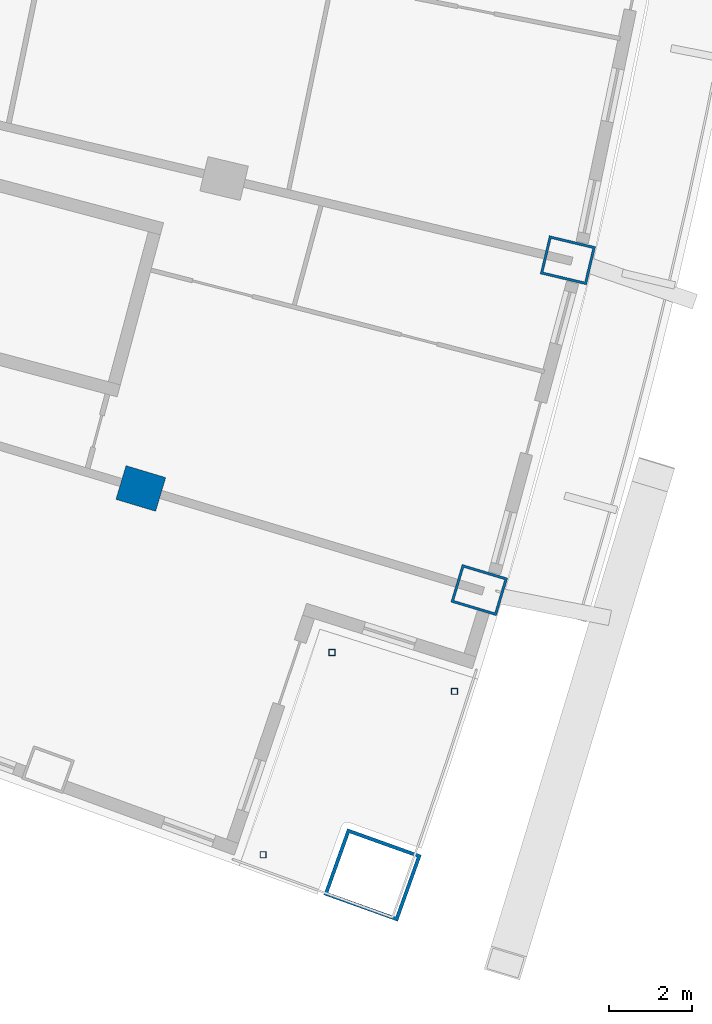
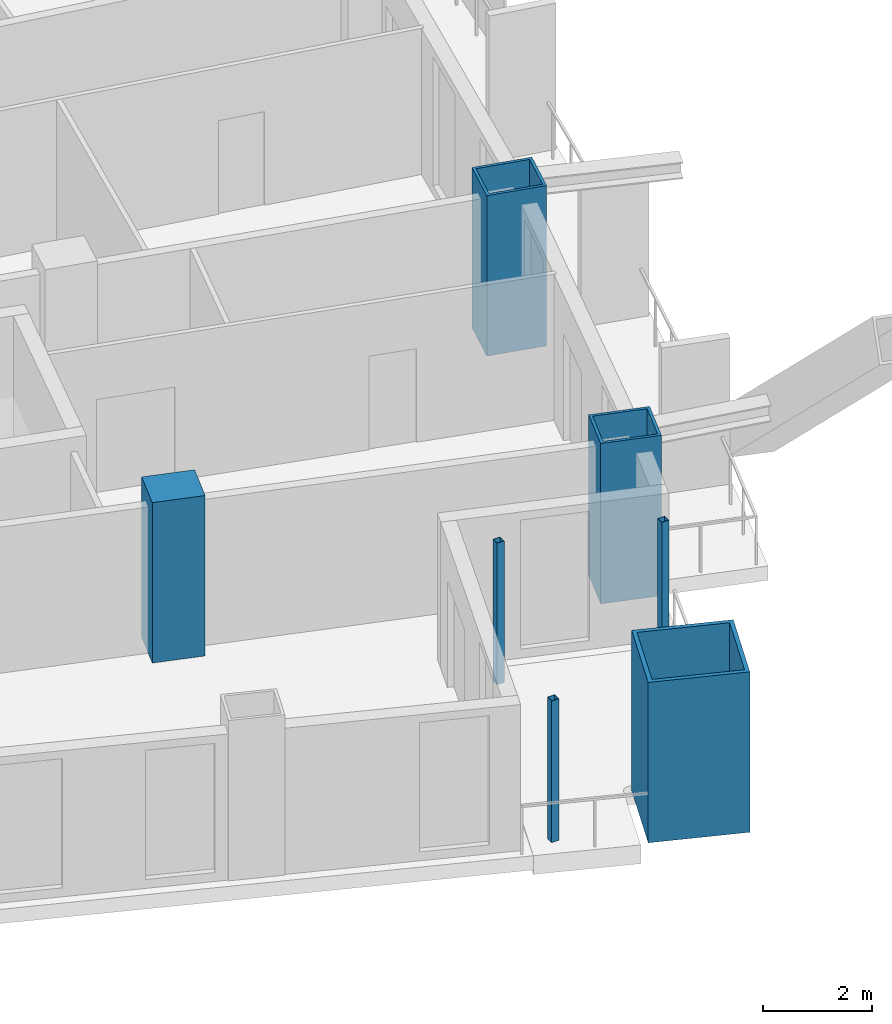
# One storey, part 5 of 25: 7 columns.
"""IFC4 building model written with IfcOpenShell, lengths in metres."""

import ifcopenshell
import ifcopenshell.guid

model = None  # the IFC model being written
_history = None  # IfcOwnerHistory: only IFC2X3 demands one
_inside = {}  # id of a spatial element -> (the spatial element, [elements in it])
_under = {}  # id of a project, library or spatial element -> (it, [spatial elements below it])
_declared = {}  # id of a project -> (the project, [libraries it declares])
_typed = {}  # id of a type object -> (the type object, [elements of that type])
_made_of = {}  # id of a material, layer set ... -> (it, [elements and type objects made of it])


def new_model(schema):
    """Start an empty IFC model of exactly this schema.

    Asked for "IFC4X3", IfcOpenShell would pick the latest addendum, in which some entities
    have other attributes; the version numbers below select the first issue.
    IFC2X3 requires an IfcOwnerHistory on every rooted entity: one is made here for all.
    """
    global model, _history
    if schema == "IFC4X3":
        model = ifcopenshell.file(schema_version=(4, 3, 0, 0))
    else:
        model = ifcopenshell.file(schema=schema)
    _inside.clear()
    _under.clear()
    _declared.clear()
    _typed.clear()
    _made_of.clear()
    _history = None
    if model.schema == "IFC2X3":
        org = make("IfcOrganization", Name="unknown")
        user = make(
            "IfcPersonAndOrganization",
            ThePerson=make("IfcPerson", FamilyName="unknown"),
            TheOrganization=org,
        )
        app = make(
            "IfcApplication",
            ApplicationDeveloper=org,
            Version="unknown",
            ApplicationFullName="unknown",
            ApplicationIdentifier="unknown",
        )
        _history = make(
            "IfcOwnerHistory",
            OwningUser=user,
            OwningApplication=app,
            ChangeAction="ADDED",
            CreationDate=0,
        )
    return model


def make(cls, **values):
    """One entity of the class cls with the attributes given. An attribute that is None is left unset."""
    return model.create_entity(
        cls, **{name: value for name, value in values.items() if value is not None}
    )


def rooted(cls, **values):
    """An entity with a GlobalId (a new one), such as an element, a storey or a relation."""
    return make(cls, GlobalId=ifcopenshell.guid.new(), OwnerHistory=_history, **values)


def si_unit(unit_type, name, prefix=None):
    """IfcSIUnit, for example si_unit("LENGTHUNIT", "METRE", prefix="MILLI")."""
    return make("IfcSIUnit", UnitType=unit_type, Prefix=prefix, Name=name)


def assignment(units):
    """IfcUnitAssignment: the units of a project."""
    return None if units is None else make("IfcUnitAssignment", Units=units)


def point(xyz):
    """IfcCartesianPoint."""
    return None if xyz is None else make("IfcCartesianPoint", Coordinates=xyz)


def direction(xyz):
    """IfcDirection."""
    return None if xyz is None else make("IfcDirection", DirectionRatios=xyz)


def frame(location, z_axis=None, x_axis=None):
    """IfcAxis2Placement3D, a coordinate frame: its origin and axes. An axis left out is left unset."""
    return make(
        "IfcAxis2Placement3D",
        Location=point(location),
        Axis=direction(z_axis),
        RefDirection=direction(x_axis),
    )


def frame_2d(location, x_axis=None):
    """IfcAxis2Placement2D, a coordinate frame in the plane: its origin and x axis."""
    return make(
        "IfcAxis2Placement2D", Location=point(location), RefDirection=direction(x_axis)
    )


def origin():
    """The frame at (0, 0, 0) with its axes left unset."""
    return frame((0.0, 0.0, 0.0))


def origin_2d():
    """The frame at (0, 0) in the plane with its x axis left unset."""
    return frame_2d((0.0, 0.0))


def place(relative_to, where):
    """IfcLocalPlacement: puts the frame where relative to a parent placement (None: the world)."""
    return make(
        "IfcLocalPlacement", PlacementRelTo=relative_to, RelativePlacement=where
    )


def context(
    kind, dimensions, precision=None, world=None, true_north=None, identifier=None
):
    """IfcGeometricRepresentationContext, for example the 3D "Model" context."""
    return make(
        "IfcGeometricRepresentationContext",
        ContextIdentifier=identifier,
        ContextType=kind,
        CoordinateSpaceDimension=dimensions,
        Precision=precision,
        WorldCoordinateSystem=world,
        TrueNorth=true_north,
    )


def subcontext(parent, identifier, kind, view, scale=None):
    """IfcGeometricRepresentationSubContext, for example "Body" below "Model"."""
    return make(
        "IfcGeometricRepresentationSubContext",
        ContextIdentifier=identifier,
        ContextType=kind,
        ParentContext=parent,
        TargetScale=scale,
        TargetView=view,
    )


def project(units=None, contexts=None):
    """IfcProject with its units and contexts."""
    return rooted(
        "IfcProject",
        Name="project",
        RepresentationContexts=contexts,
        UnitsInContext=assignment(units),
    )


def spatial(cls, under=None, at=None, **own):
    """A site, building, storey or space (cls), placed at a placement, below another one or the project."""
    s = rooted(cls, ObjectPlacement=at, **own)
    if under is not None:
        _under.setdefault(under.id(), (under, []))[1].append(s)
    return s


def profile(cls, at=None, kind="AREA", **sizes):
    """A parametric profile (cls). Its sizes go by their IFC names, for example OverallWidth=200.0."""
    return make(cls, ProfileType=kind, Position=at, **sizes)


def rectangle(**sizes):
    """IfcRectangleProfileDef."""
    return profile("IfcRectangleProfileDef", **sizes)


def hollow_rectangle(**sizes):
    """IfcRectangleHollowProfileDef."""
    return profile("IfcRectangleHollowProfileDef", **sizes)


def extrude(swept, where, along, depth):
    """IfcExtrudedAreaSolid: the profile swept, set in the frame where, extruded along a direction by depth."""
    return make(
        "IfcExtrudedAreaSolid",
        SweptArea=swept,
        Position=where,
        ExtrudedDirection=direction(along),
        Depth=depth,
    )


def shape(context_of_items, identifier, shape_type, items):
    """IfcShapeRepresentation: the items that make up one representation, for example the "Body"."""
    return make(
        "IfcShapeRepresentation",
        ContextOfItems=context_of_items,
        RepresentationIdentifier=identifier,
        RepresentationType=shape_type,
        Items=items,
    )


def material(Name=None, Category=None):
    """IfcMaterial."""
    return make("IfcMaterial", Name=Name, Category=Category)


def material_profile(
    of_material, cross_section, Name=None, Category=None, Priority=None
):
    """IfcMaterialProfile: a cross section and its material."""
    return make(
        "IfcMaterialProfile",
        Name=Name,
        Material=of_material,
        Profile=cross_section,
        Priority=Priority,
        Category=Category,
    )


def profile_set(profiles, Name=None, composite=None):
    """IfcMaterialProfileSet."""
    return make(
        "IfcMaterialProfileSet",
        Name=Name,
        MaterialProfiles=profiles,
        CompositeProfile=composite,
    )


def made_of(thing, what):
    """Note that an element or type object is made of a material, layer set ...; save() writes the relation."""
    if what is not None:
        _made_of.setdefault(what.id(), (what, []))[1].append(thing)
    return thing


def type_object(cls, material=None, **own):
    """A type object (cls), such as IfcWallType, which elements share."""
    return made_of(rooted(cls, **own), material)


def element(
    cls,
    number,
    at=None,
    inside=None,
    cuts=None,
    type_object=None,
    material=None,
    context=None,
    identifier="Body",
    shape_type=None,
    held_by="IfcProductDefinitionShape",
    body=None,
    shapes=None,
    **own,
):
    """One element of the class cls, such as IfcWall. Its Tag is "e" and its number.

    at: its placement. inside: the storey or other place that contains it. cuts: it is an
    opening in that element (IfcRelVoidsElement). A single representation is given by context,
    identifier, shape_type and body (its items); several are given by shapes. held_by: the class
    of the entity that holds the representations. save() writes the other relations.
    """
    e = rooted(cls, Tag="e%d" % number, ObjectPlacement=at, **own)
    if body is not None:
        shapes = [shape(context, identifier, shape_type, body)]
    if shapes is not None:
        e.Representation = make(held_by, Representations=shapes)
    if inside is not None:
        _inside.setdefault(inside.id(), (inside, []))[1].append(e)
    if cuts is not None:
        rooted(
            "IfcRelVoidsElement", RelatingBuildingElement=cuts, RelatedOpeningElement=e
        )
    if type_object is not None:
        _typed.setdefault(type_object.id(), (type_object, []))[1].append(e)
    return made_of(e, material)


def aggregate(whole, parts):
    """IfcRelAggregates: a whole, such as a stair, and the parts it consists of."""
    return rooted("IfcRelAggregates", RelatingObject=whole, RelatedObjects=parts)


def save(model, path):
    """Write the relations noted so far, then the file.

    IfcRelAggregates (storeys below a building ...), IfcRelContainedInSpatialStructure (elements
    in a storey), IfcRelDefinesByType, IfcRelAssociatesMaterial and IfcRelDeclares: one each for
    every whole, place, type object, material and project.
    """
    for whole, parts in _under.values():
        aggregate(whole, parts)
    for where, things in _inside.values():
        rooted(
            "IfcRelContainedInSpatialStructure",
            RelatedElements=things,
            RelatingStructure=where,
        )
    for kind, things in _typed.values():
        rooted("IfcRelDefinesByType", RelatedObjects=things, RelatingType=kind)
    for what, things in _made_of.values():
        rooted("IfcRelAssociatesMaterial", RelatedObjects=things, RelatingMaterial=what)
    for by, libraries in _declared.values():
        rooted("IfcRelDeclares", RelatingContext=by, RelatedDefinitions=libraries)
    model.write(path)


model = new_model("IFC4")

# Units and contexts
model_context = context("Model", 3, precision=1e-05, world=origin(), true_north=direction((0.0, 1.0)))
body_context = subcontext(model_context, "Body", "Model", "MODEL_VIEW")
ifc_project = project(units=[si_unit("LENGTHUNIT", "METRE"), si_unit("AREAUNIT", "SQUARE_METRE"), si_unit("VOLUMEUNIT", "CUBIC_METRE"), si_unit("PLANEANGLEUNIT", "RADIAN"), si_unit("MASSUNIT", "GRAM", prefix="KILO")], contexts=[model_context])

# Site, building, storey
site_placement = place(None, origin())
site = spatial("IfcSite", under=ifc_project, at=site_placement, CompositionType="ELEMENT")
building_placement = place(site_placement, origin())
building = spatial("IfcBuilding", under=site, at=building_placement, Name="Alderwake Tower", CompositionType="ELEMENT")
storey_placement = place(building_placement, frame((0.0, 0.0, 93.199951171875)))
storey = spatial("IfcBuildingStorey", under=building, at=storey_placement, Name="L22", CompositionType="ELEMENT", Elevation=93.199951171875)

# Columns
ifc_material_1 = material(Name="Concrete C70/85", Category="concrete")
ifc_material_profile_1 = material_profile(ifc_material_1, rectangle(XDim=0.85009765625, YDim=1.0, at=origin_2d()), Name="RC 1000X850")
ifc_profile_set_1 = profile_set([ifc_material_profile_1], Name="Concrete C70/85")
column_type_1 = type_object("IfcColumnType", Name="Interior column Z2", PredefinedType="COLUMN", material=ifc_profile_set_1)
column_1_placement = place(storey_placement, frame((47.255126953125, 22.794189453125, 0.0), z_axis=(0.0, 0.0, 1.0), x_axis=(0.287549418125, 0.957765802342, 0.0)))
element("IfcColumn", 1, at=column_1_placement, inside=storey, type_object=column_type_1, Name="Column R02-C4", PredefinedType="COLUMN", context=body_context, shape_type="SweptSolid", body=[
    extrude(rectangle(XDim=0.85009765625, YDim=1.0, at=origin_2d()), origin(), (0.0, 0.0, 1.0), 3.60009765625),
])
ifc_material_2 = material(Name="Steel ASTM A500 Grade C", Category="steel")
ifc_material_profile_2 = material_profile(ifc_material_2, hollow_rectangle(XDim=0.15234375, YDim=0.15234375, WallThickness=0.0087890625, at=origin_2d()), Name="HSS6X6X3/8")
ifc_profile_set_2 = profile_set([ifc_material_profile_2], Name="Steel ASTM A500 Grade C")
column_type_2 = type_object("IfcColumnType", Name="Light post HSS6X6X3/8", PredefinedType="COLUMN", material=ifc_profile_set_2)
for number, where, z_axis, x_axis, name in (
    (2, (54.827392578125, 17.89599609375, 0.0), (0.0, 0.0, 1.0), (1.0, 0.0, 0.0), "Terrace post FS1"),
    (3, (50.209716796875, 13.94873046875, 0.0), (0.0, 0.0, 1.0), (1.0, 0.0, 0.0), "Terrace post FS2"),
    (4, (51.87158203125, 18.83056640625, 0.0), (0.0, 0.0, 1.0), (1.0, 0.0, 0.0), "Terrace post FS3"),
):
    element("IfcColumn", number, at=place(storey_placement, frame(where, z_axis=z_axis, x_axis=x_axis)), inside=storey, type_object=column_type_2, Name=name, PredefinedType="COLUMN", context=body_context, shape_type="SweptSolid", body=[
        extrude(hollow_rectangle(XDim=0.15234375, YDim=0.15234375, WallThickness=0.0087890625, at=origin_2d()), origin(), (0.0, 0.0, 1.0), 3.179931640625),
    ])
ifc_material_3 = material(Name="Steel ASTM A572 Grade 50 concrete filled C70/85", Category="concrete")
ifc_material_profile_3 = material_profile(ifc_material_3, hollow_rectangle(XDim=1.699951171875, YDim=1.89990234375, WallThickness=0.0849609375, at=origin_2d()), Name="BOX 1900X1700X85")
ifc_profile_set_3 = profile_set([ifc_material_profile_3], Name="Steel ASTM A572 Grade 50 concrete filled C70/85")
column_type_3 = type_object("IfcColumnType", Name="Mega column Z2", PredefinedType="COLUMN", material=ifc_profile_set_3)
column_2_placement = place(storey_placement, frame((52.850830078125, 13.461669921875, 0.0), z_axis=(0.0, 0.0, 1.0), x_axis=(0.336911216263, 0.941536421152, 0.0)))
element("IfcColumn", 5, at=column_2_placement, inside=storey, type_object=column_type_3, Name="Column R01-C5", PredefinedType="COLUMN", context=body_context, shape_type="SweptSolid", body=[
    extrude(hollow_rectangle(XDim=1.699951171875, YDim=1.89990234375, WallThickness=0.0849609375, at=origin_2d()), origin(), (0.0, 0.0, 1.0), 3.60009765625),
])
ifc_material_4 = material(Name="Steel ASTM A572 Grade 50 concrete filled C70/85", Category="concrete")
ifc_material_profile_4 = material_profile(ifc_material_4, hollow_rectangle(XDim=0.949951171875, YDim=1.14990234375, WallThickness=0.06005859375, at=origin_2d()), Name="BOX 1150X950X60")
ifc_profile_set_4 = profile_set([ifc_material_profile_4], Name="Steel ASTM A572 Grade 50 concrete filled C70/85")
column_type_4 = type_object("IfcColumnType", Name="Perimeter column Z2", PredefinedType="COLUMN", material=ifc_profile_set_4)
for number, where, z_axis, x_axis, name in (
    (6, (55.427978515625, 20.340576171875, 0.0), (0.0, 0.0, 1.0), (0.287549418125, 0.957765802342, 0.0), "Column R02-C5"),
    (7, (57.568115234375, 28.30517578125, 0.0), (0.0, 0.0, 1.0), (0.231221547198, 0.972901123502, 0.0), "Column R03-C5"),
):
    element("IfcColumn", number, at=place(storey_placement, frame(where, z_axis=z_axis, x_axis=x_axis)), inside=storey, type_object=column_type_4, Name=name, PredefinedType="COLUMN", context=body_context, shape_type="SweptSolid", body=[
        extrude(hollow_rectangle(XDim=0.949951171875, YDim=1.14990234375, WallThickness=0.06005859375, at=origin_2d()), origin(), (0.0, 0.0, 1.0), 3.60009765625),
    ])

save(model, "model.ifc")
